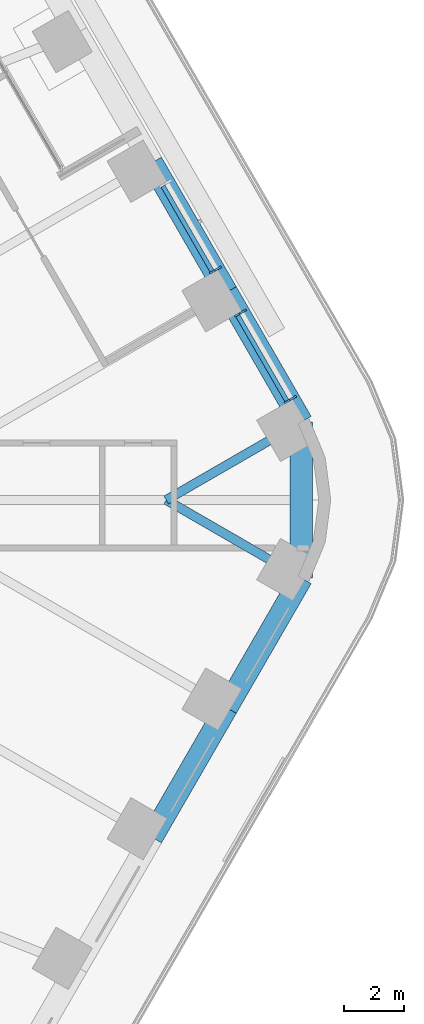
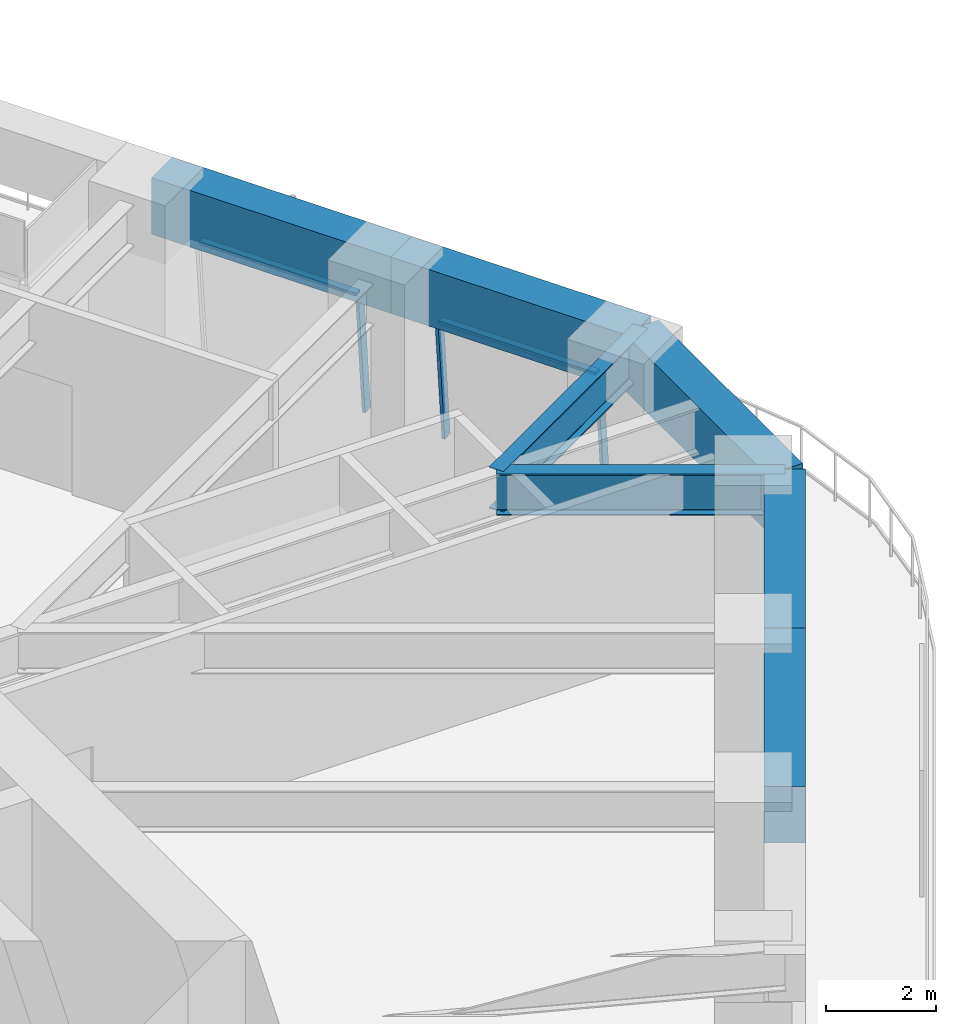
# One storey, part 14 of 24: 7 beams, 5 members, 2 elements without a shape of their own.
"""IFC4 building model written with IfcOpenShell, lengths in metres."""

from ifc_helpers import new_model, si_unit, direction, frame, origin, origin_2d, place, context, subcontext, project, spatial, rectangle, i_section, extrude, material, material_profile, profile_set, type_object, element, aggregate, save


model = new_model("IFC4")

# Units and contexts
model_context = context("Model", 3, precision=1e-05, world=origin(), true_north=direction((0.0, 1.0)))
body_context = subcontext(model_context, "Body", "Model", "MODEL_VIEW")
ifc_project = project(units=[si_unit("LENGTHUNIT", "METRE"), si_unit("AREAUNIT", "SQUARE_METRE"), si_unit("VOLUMEUNIT", "CUBIC_METRE"), si_unit("PLANEANGLEUNIT", "RADIAN"), si_unit("MASSUNIT", "GRAM", prefix="KILO")], contexts=[model_context])

# Site, building, storey
site_placement = place(None, origin())
site = spatial("IfcSite", under=ifc_project, at=site_placement, CompositionType="ELEMENT")
building_placement = place(site_placement, origin())
building = spatial("IfcBuilding", under=site, at=building_placement, Name="Tarfa Lantern Tower", CompositionType="ELEMENT")
storey_placement = place(building_placement, frame((0.0, 0.0, 174.10009765625)))
storey = spatial("IfcBuildingStorey", under=building, at=storey_placement, Name="L39", CompositionType="ELEMENT", Elevation=174.10009765625)

# Curtain wall, members
ifc_material_1 = material(Name="Aluminium framed curtain wall", Category="aluminium")
curtain_wall_type = type_object("IfcCurtainWallType", Name="CW2 CANTED GLAZING MID ZONE 2750", PredefinedType="USERDEFINED", material=ifc_material_1)
curtain_wall_1_placement = place(storey_placement, origin())
curtain_wall_1 = element("IfcCurtainWall", 1, at=curtain_wall_1_placement, inside=storey, type_object=curtain_wall_type, Name="CW2 NE L39", ObjectType="CURTAIN WALL", PredefinedType="USERDEFINED")
ifc_material_2 = material(Name="Aluminium mullion", Category="aluminium")
ifc_material_profile_1 = material_profile(ifc_material_2, rectangle(XDim=0.06494140625, YDim=0.199951171875, at=origin_2d()), Name="AL MULLION 65x200")
ifc_profile_set_1 = profile_set([ifc_material_profile_1], Name="Aluminium mullion")
member_type_1 = type_object("IfcMemberType", Name="CWM1 MULLION 65x200", PredefinedType="MULLION", material=ifc_profile_set_1)
member_1_placement = place(storey_placement, frame((34.282470703125, 3.4208984375, 0.0), z_axis=(-0.078422950161, -0.045267813396, 0.995891894715), x_axis=(0.499919672301, -0.866071776036, 0.0)))
member_1 = element("IfcMember", 2, at=member_1_placement, type_object=member_type_1, Name="CW2 mullion 1", PredefinedType="MULLION", context=body_context, shape_type="SweptSolid", body=[
    extrude(rectangle(XDim=0.06494140625, YDim=0.199951171875, at=origin_2d()), origin(), (0.0, 0.0, 1.0), 2.76123046875),
])
member_2_placement = place(storey_placement, frame((32.613037109375, 6.312255859375, 0.0), z_axis=(-0.078335079308, -0.045268127094, 0.995898796073), x_axis=(0.500342721131, -0.865827443207, 0.0)))
member_2 = element("IfcMember", 3, at=member_2_placement, type_object=member_type_1, Name="CW2 mullion 2", PredefinedType="MULLION", context=body_context, shape_type="SweptSolid", body=[
    extrude(rectangle(XDim=0.06494140625, YDim=0.199951171875, at=origin_2d()), origin(), (0.0, 0.0, 1.0), 2.76123046875),
])

# Curtain wall, member
curtain_wall_2_placement = place(storey_placement, origin())
curtain_wall_2 = element("IfcCurtainWall", 4, at=curtain_wall_2_placement, inside=storey, type_object=curtain_wall_type, Name="CW2 NE L39", ObjectType="CURTAIN WALL", PredefinedType="USERDEFINED")
member_3_placement = place(storey_placement, frame((31.78076171875, 7.75439453125, 0.0), z_axis=(-0.078422950161, -0.045267813396, 0.995891894715), x_axis=(0.499919672301, -0.866071776036, 0.0)))
member_3 = element("IfcMember", 5, at=member_3_placement, type_object=member_type_1, Name="CW2 mullion 1", PredefinedType="MULLION", context=body_context, shape_type="SweptSolid", body=[
    extrude(rectangle(XDim=0.06494140625, YDim=0.199951171875, at=origin_2d()), origin(), (0.0, 0.0, 1.0), 2.76123046875),
])

# Member
ifc_material_3 = material(Name="Aluminium transom", Category="aluminium")
ifc_material_profile_2 = material_profile(ifc_material_3, rectangle(XDim=0.14990234375, YDim=0.06494140625, at=origin_2d()), Name="AL TRANSOM 150x65")
ifc_profile_set_2 = profile_set([ifc_material_profile_2], Name="Aluminium transom")
member_type_2 = type_object("IfcMemberType", Name="CWT1 TRANSOM 150x65", PredefinedType="USERDEFINED", material=ifc_profile_set_2)
member_4_placement = place(storey_placement, frame((34.05224609375, 3.32568359375, 2.71728515625), z_axis=(-0.499989298045, 0.866031582473, 0.0), x_axis=(-0.866031582473, -0.499989298045, 0.0)))
member_4 = element("IfcMember", 6, at=member_4_placement, type_object=member_type_2, Name="CW2 transom 1.2", ObjectType="TRANSOM", PredefinedType="USERDEFINED", context=body_context, shape_type="SweptSolid", body=[
    extrude(rectangle(XDim=0.14990234375, YDim=0.06494140625, at=origin_2d()), origin(), (0.0, 0.0, 1.0), 3.2734375),
])

aggregate(curtain_wall_1, [member_1, member_2, member_4])

member_5_placement = place(storey_placement, frame((31.550537109375, 7.658935546875, 2.71728515625), z_axis=(-0.500012937857, 0.86601793398, 0.0), x_axis=(-0.86601793398, -0.500012937857, 0.0)))
member_5 = element("IfcMember", 7, at=member_5_placement, type_object=member_type_2, Name="CW2 transom 1.2", ObjectType="TRANSOM", PredefinedType="USERDEFINED", context=body_context, shape_type="SweptSolid", body=[
    extrude(rectangle(XDim=0.14990234375, YDim=0.06494140625, at=origin_2d()), origin(), (0.0, 0.0, 1.0), 3.27392578125),
])

aggregate(curtain_wall_2, [member_3, member_5])

# Beams
ifc_material_4 = material(Name="Concrete C80/95", Category="concrete")
ifc_material_profile_3 = material_profile(ifc_material_4, rectangle(XDim=0.75, YDim=1.25, at=origin_2d()), Name="RC 750x1250")
ifc_profile_set_3 = profile_set([ifc_material_profile_3], Name="Concrete C80/95")
beam_type_1 = type_object("IfcBeamType", Name="EB2 RC 750x1250", PredefinedType="SPANDREL", material=ifc_profile_set_3)
for number, where, z_axis, x_axis, name in (
    (8, (34.54296875, 2.610107421875, 3.375), (-0.500022324899, 0.866012514114, 0.0), (-0.866012514114, -0.500022324899, 0.0), "Edge beam NE0"),
    (9, (32.041015625, 6.943359375, 3.375), (-0.500022324899, 0.866012514114, 0.0), (-0.866012514114, -0.500022324899, 0.0), "Edge beam NE1"),
    (10, (29.5390625, -11.276611328125, 3.375), (0.500022324899, 0.866012514114, 0.0), (-0.866012514114, 0.500022324899, 0.0), "Edge beam SE4"),
    (11, (32.041015625, -6.943359375, 3.375), (0.500022324899, 0.866012514114, 0.0), (-0.866012514114, 0.500022324899, 0.0), "Edge beam SE5"),
):
    element("IfcBeam", number, at=place(storey_placement, frame(where, z_axis=z_axis, x_axis=x_axis)), inside=storey, type_object=beam_type_1, Name=name, PredefinedType="SPANDREL", context=body_context, shape_type="SweptSolid", body=[
        extrude(rectangle(XDim=0.75, YDim=1.25, at=origin_2d()), origin(), (0.0, 0.0, 1.0), 5.003662109375),
    ])
beam_placement = place(storey_placement, frame((34.54296875, -2.610107421875, 3.375), z_axis=(0.0, 1.0, 0.0), x_axis=(-1.0, 0.0, 0.0)))
element("IfcBeam", 12, at=beam_placement, inside=storey, type_object=beam_type_1, Name="Edge beam SE6", PredefinedType="SPANDREL", context=body_context, shape_type="SweptSolid", body=[
    extrude(rectangle(XDim=0.75, YDim=1.25, at=origin_2d()), origin(), (0.0, 0.0, 1.0), 5.22021484375),
])
ifc_material_5 = material(Name="Steel S460M", Category="steel")
ifc_material_profile_4 = material_profile(ifc_material_5, i_section(OverallWidth=0.305419921875, OverallDepth=0.91845703125, WebThickness=0.017333984375, FlangeThickness=0.02783203125, FilletRadius=0.01904296875, at=origin_2d()), Name="UB914x305x253")
ifc_profile_set_4 = profile_set([ifc_material_profile_4], Name="Steel S460M")
beam_type_2 = type_object("IfcBeamType", Name="UB914x305x253", PredefinedType="BEAM", material=ifc_profile_set_4)
for number, where, z_axis, x_axis, name in (
    (13, (34.54296875, 2.610107421875, 3.540771484375), (-0.866021250859, -0.500007193008, 0.0), (0.500007193008, -0.866021250859, 0.0), "Floor beam NE0"),
    (14, (34.54296875, -2.610107421875, 3.540771484375), (-0.866021250859, 0.500007193008, 0.0), (-0.500007193008, -0.866021250859, 0.0), "Floor beam SE6"),
):
    element("IfcBeam", number, at=place(storey_placement, frame(where, z_axis=z_axis, x_axis=x_axis)), inside=storey, type_object=beam_type_2, Name=name, PredefinedType="BEAM", context=body_context, shape_type="SweptSolid", body=[
        extrude(i_section(OverallWidth=0.305419921875, OverallDepth=0.91845703125, WebThickness=0.017333984375, FlangeThickness=0.02783203125, FilletRadius=0.01904296875, at=origin_2d()), origin(), (0.0, 0.0, 1.0), 5.22021484375),
    ])

save(model, "model.ifc")
